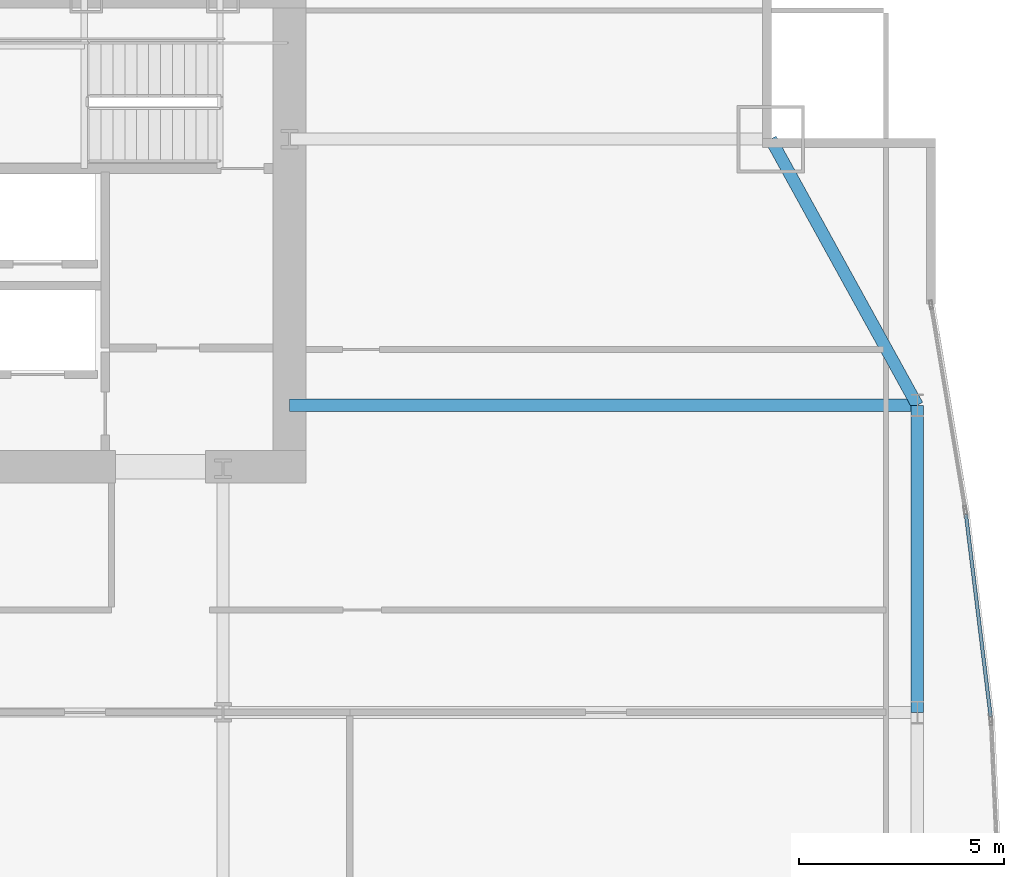
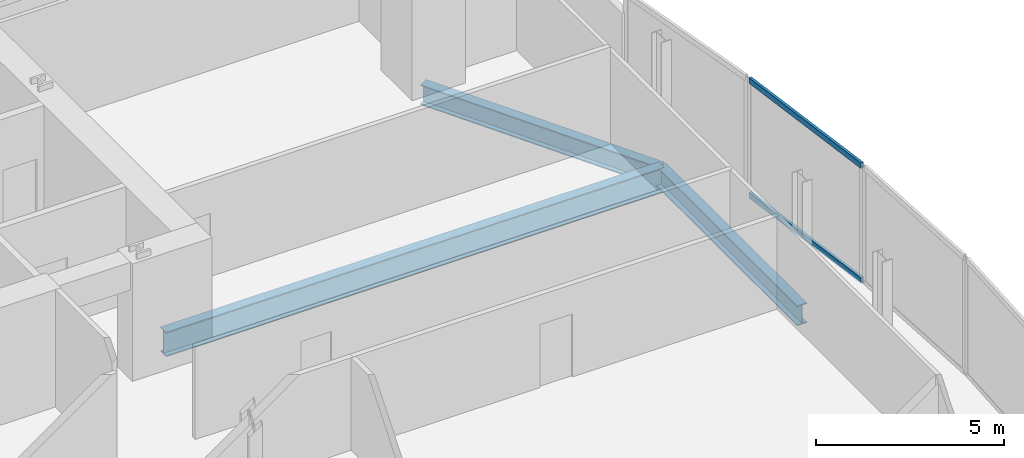
# One storey, part 23 of 32: 3 beams, 2 members, 1 element without a shape of its own.
"""IFC4 building model written with IfcOpenShell, lengths in metres."""

from ifc_helpers import new_model, si_unit, direction, frame, origin, origin_2d, place, context, subcontext, project, spatial, hollow_rectangle, i_section, extrude, material, material_profile, profile_set, type_object, element, aggregate, save


model = new_model("IFC4")

# Units and contexts
model_context = context("Model", 3, precision=1e-05, world=origin(), true_north=direction((0.0, 1.0)))
body_context = subcontext(model_context, "Body", "Model", "MODEL_VIEW")
ifc_project = project(units=[si_unit("LENGTHUNIT", "METRE"), si_unit("AREAUNIT", "SQUARE_METRE"), si_unit("VOLUMEUNIT", "CUBIC_METRE"), si_unit("PLANEANGLEUNIT", "RADIAN"), si_unit("MASSUNIT", "GRAM", prefix="KILO")], contexts=[model_context])

# Site, building, storey
site_placement = place(None, origin())
site = spatial("IfcSite", under=ifc_project, at=site_placement, CompositionType="ELEMENT")
building_placement = place(site_placement, origin())
building = spatial("IfcBuilding", under=site, at=building_placement, Name="Khoronbel Lancet Exchange", CompositionType="ELEMENT")
storey_placement = place(building_placement, frame((0.0, 0.0, 41.800048828125)))
storey = spatial("IfcBuildingStorey", under=building, at=storey_placement, Name="L09", CompositionType="ELEMENT", Elevation=41.800048828125)

# Beams
ifc_material_1 = material(Name="Steel S355", Category="steel")
ifc_material_profile_1 = material_profile(ifc_material_1, i_section(OverallWidth=0.300048828125, OverallDepth=0.800048828125, WebThickness=0.017578125, FlangeThickness=0.032958984375, at=origin_2d()), Name="HEB 800")
ifc_profile_set_1 = profile_set([ifc_material_profile_1], Name="Steel S355")
beam_type_1 = type_object("IfcBeamType", Name="BM-BG2", PredefinedType="BEAM", material=ifc_profile_set_1)
beam_1_placement = place(storey_placement, frame((56.300048828125, 43.199951171875, -0.580078125), z_axis=(1.0, 0.0, 0.0), x_axis=(0.0, 1.0, 0.0)))
element("IfcBeam", 1, at=beam_1_placement, inside=storey, type_object=beam_type_1, Name="Level L09 east lens tie girder LG3E", PredefinedType="BEAM", context=body_context, shape_type="SweptSolid", body=[
    extrude(i_section(OverallWidth=0.300048828125, OverallDepth=0.800048828125, WebThickness=0.017578125, FlangeThickness=0.032958984375, at=origin_2d()), origin(), (0.0, 0.0, 1.0), 15.329833984375),
])
ifc_material_profile_2 = material_profile(ifc_material_1, i_section(OverallWidth=0.300048828125, OverallDepth=0.64990234375, WebThickness=0.01611328125, FlangeThickness=0.031005859375, at=origin_2d()), Name="HEB 650")
ifc_profile_set_2 = profile_set([ifc_material_profile_2], Name="Steel S355")
beam_type_2 = type_object("IfcBeamType", Name="BM-BSP1", PredefinedType="SPANDREL", material=ifc_profile_set_2)
beam_2_placement = place(storey_placement, frame((71.6298828125, 35.699951171875, -0.505126953125), z_axis=(0.0, 1.0, 0.0), x_axis=(-1.0, 0.0, 0.0)))
element("IfcBeam", 2, at=beam_2_placement, inside=storey, type_object=beam_type_2, Name="Level L09 perimeter spandrel beam SP14", PredefinedType="SPANDREL", context=body_context, shape_type="SweptSolid", body=[
    extrude(i_section(OverallWidth=0.300048828125, OverallDepth=0.64990234375, WebThickness=0.01611328125, FlangeThickness=0.031005859375, at=origin_2d()), origin(), (0.0, 0.0, 1.0), 7.5),
])
beam_3_placement = place(storey_placement, frame((71.6298828125, 43.199951171875, -0.505126953125), z_axis=(-0.482418808117, 0.875940690672, 0.0), x_axis=(-0.875940690672, -0.482418808117, 0.0)))
element("IfcBeam", 3, at=beam_3_placement, inside=storey, type_object=beam_type_2, Name="Level L09 perimeter spandrel beam SP15", PredefinedType="SPANDREL", context=body_context, shape_type="SweptSolid", body=[
    extrude(i_section(OverallWidth=0.300048828125, OverallDepth=0.64990234375, WebThickness=0.01611328125, FlangeThickness=0.031005859375, at=origin_2d()), origin(), (0.0, 0.0, 1.0), 7.420654296875),
])

# Curtain wall, members
ifc_material_2 = material(Name="Low-E Solar Control Insulating Glass", Category="glass")
curtain_wall_type = type_object("IfcCurtainWallType", Name="CW-4", PredefinedType="NOTDEFINED", material=ifc_material_2)
curtain_wall_placement = place(storey_placement, origin())
curtain_wall = element("IfcCurtainWall", 4, at=curtain_wall_placement, inside=storey, type_object=curtain_wall_type, Name="Unitised curtain wall CW-L09-E18", PredefinedType="NOTDEFINED")
ifc_material_3 = material(Name="Bronze-Anodised Aluminium 6063-T6", Category="aluminium")
ifc_material_profile_3 = material_profile(ifc_material_3, hollow_rectangle(XDim=0.0849609375, YDim=0.179931640625, WallThickness=0.0048828125, at=origin_2d()), Name="ALU TRANSOM 85x180")
ifc_profile_set_3 = profile_set([ifc_material_profile_3], Name="Bronze-Anodised Aluminium 6063-T6")
member_type = type_object("IfcMemberType", Name="MEM-CWT1", PredefinedType="USERDEFINED", material=ifc_profile_set_3)
member_1_placement = place(storey_placement, frame((72.818359375, 40.529296875, 0.04248046875), z_axis=(0.121244612319, -0.992622659415, 0.0), x_axis=(0.992622659415, 0.121244612319, 0.0)))
member_1 = element("IfcMember", 5, at=member_1_placement, type_object=member_type, Name="CW4 transom 1.1", ObjectType="TRANSOM", PredefinedType="USERDEFINED", context=body_context, shape_type="SweptSolid", body=[
    extrude(hollow_rectangle(XDim=0.0849609375, YDim=0.179931640625, WallThickness=0.0048828125, at=origin_2d()), origin(), (0.0, 0.0, 1.0), 4.965576171875),
])
member_2_placement = place(storey_placement, frame((72.818359375, 40.529296875, 3.77734375), z_axis=(0.121244612319, -0.992622659415, 0.0), x_axis=(0.992622659415, 0.121244612319, 0.0)))
member_2 = element("IfcMember", 6, at=member_2_placement, type_object=member_type, Name="CW4 transom 1.2", ObjectType="TRANSOM", PredefinedType="USERDEFINED", context=body_context, shape_type="SweptSolid", body=[
    extrude(hollow_rectangle(XDim=0.0849609375, YDim=0.179931640625, WallThickness=0.0048828125, at=origin_2d()), origin(), (0.0, 0.0, 1.0), 4.965576171875),
])
aggregate(curtain_wall, [member_1, member_2])

save(model, "model.ifc")
